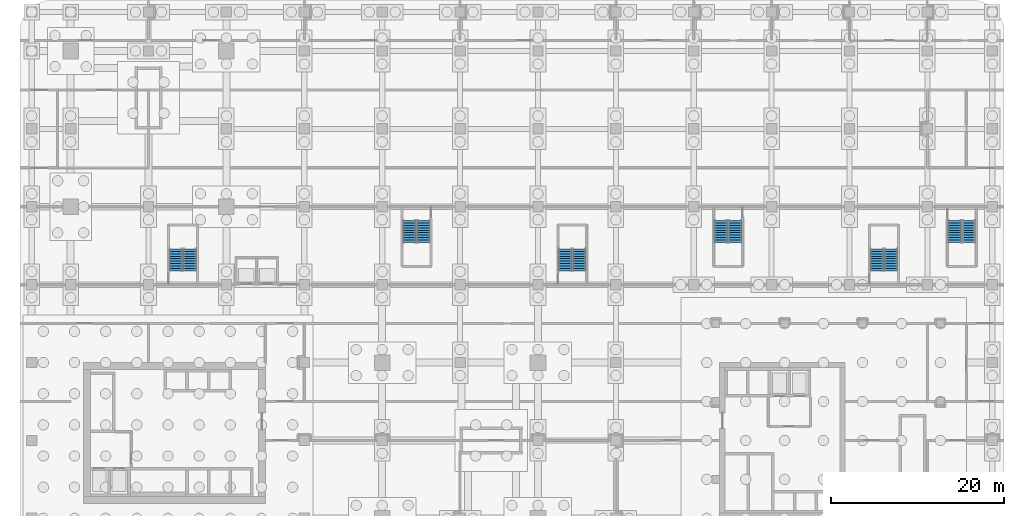
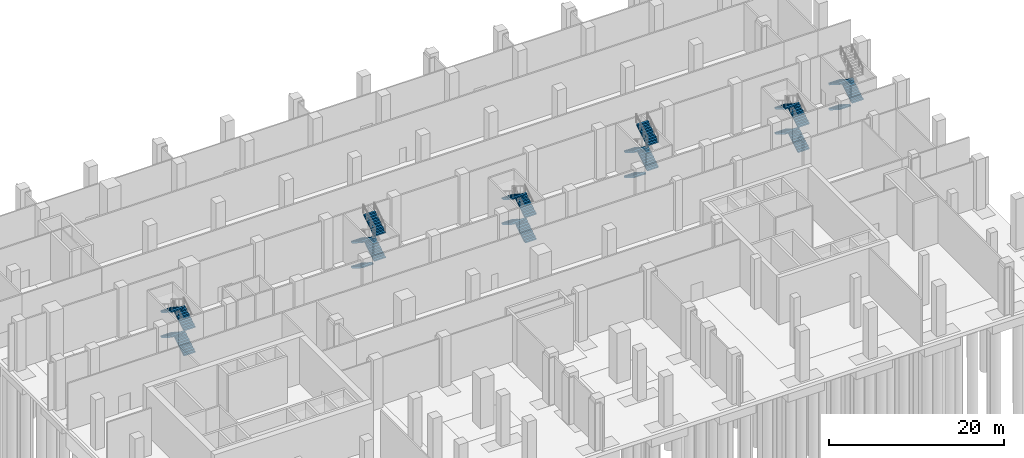
# One storey, part 18 of 23: 23 stair flights, 6 elements without a shape of their own.
"""IFC4 building model written with IfcOpenShell, lengths in metres."""

from ifc_helpers import new_model, si_unit, direction, frame, origin, place, context, subcontext, project, spatial, polyline, outline, extrude, material, type_object, element, aggregate, save


model = new_model("IFC4")

# Units and contexts
model_context = context("Model", 3, precision=1e-05, world=origin(), true_north=direction((0.0, 1.0)))
body_context = subcontext(model_context, "Body", "Model", "MODEL_VIEW")
ifc_project = project(units=[si_unit("LENGTHUNIT", "METRE"), si_unit("AREAUNIT", "SQUARE_METRE"), si_unit("VOLUMEUNIT", "CUBIC_METRE"), si_unit("PLANEANGLEUNIT", "RADIAN"), si_unit("MASSUNIT", "GRAM", prefix="KILO")], contexts=[model_context])

# Site, building, storey
site_placement = place(None, origin())
site = spatial("IfcSite", under=ifc_project, at=site_placement, CompositionType="ELEMENT")
building_placement = place(site_placement, origin())
building = spatial("IfcBuilding", under=site, at=building_placement, Name="Plateau Cross Towers", CompositionType="ELEMENT")
storey_placement = place(building_placement, frame((0.0, 0.0, -7.0)))
storey = spatial("IfcBuildingStorey", under=building, at=storey_placement, Name="B1", CompositionType="ELEMENT", Elevation=-7.0)

# Stair, stair flights
ifc_material = material(Name="Concrete C40/50", Category="concrete")
stair_type = type_object("IfcStairType", Name="Station exit stair 1500", PredefinedType="HALF_TURN_STAIR", material=ifc_material)
stair_1_placement = place(storey_placement, origin())
stair_1 = element("IfcStair", 1, at=stair_1_placement, inside=storey, type_object=stair_type, Name="B1 Exit Stair 1", PredefinedType="HALF_TURN_STAIR")
stair_flight_type = type_object("IfcStairFlightType", Name="Station stair flight 1500", PredefinedType="STRAIGHT", material=ifc_material)
stair_flight_1_placement = place(storey_placement, frame((13.800048828125, 28.60009765625, 0.0), z_axis=(0.0, 0.0, 1.0), x_axis=(0.0, 1.0, 0.0)))
stair_flight_1 = element("IfcStairFlight", 2, at=stair_flight_1_placement, type_object=stair_flight_type, Name="PB1 flight 1", NumberOfRisers=10, NumberOfTreads=9, PredefinedType="STRAIGHT", RiserHeight=0.175, TreadLength=0.28, context=body_context, shape_type="SweptSolid", body=[
    extrude(outline(polyline([(-0.0048828125, -0.010009765625), (-0.0048828125, 0.0), (0.0, 0.0), (0.0, 0.175048828125), (0.280029296875, 0.175048828125), (0.280029296875, 0.35009765625), (0.56005859375, 0.35009765625), (0.56005859375, 0.52490234375), (0.840087890625, 0.52490234375), (0.840087890625, 0.699951171875), (1.1201171875, 0.699951171875), (1.1201171875, 0.875), (1.39990234375, 0.875), (1.39990234375, 1.050048828125), (1.679931640625, 1.050048828125), (1.679931640625, 1.22509765625), (1.9599609375, 1.22509765625), (1.9599609375, 1.39990234375), (2.239990234375, 1.39990234375), (2.239990234375, 1.574951171875), (2.52001953125, 1.574951171875), (2.52490234375, 1.56494140625), (2.52490234375, 1.398193359375), (2.52001953125, 1.398193359375), (0.28271484375, 0.0), (0.02001953125, 0.0), (0.02001953125, -0.010009765625), (-0.0048828125, -0.010009765625)])), frame((0.0, 0.75, 0.0), z_axis=(0.0, -1.0, 0.0), x_axis=(1.0, 0.0, 0.0)), (0.0, 0.0, 1.0), 1.5),
])
stair_flight_2_placement = place(storey_placement, frame((12.14990234375, 31.1201171875, 1.75), z_axis=(0.0, 0.0, 1.0), x_axis=(0.0, -1.0, 0.0)))
stair_flight_2 = element("IfcStairFlight", 3, at=stair_flight_2_placement, type_object=stair_flight_type, Name="PB1 flight 2", NumberOfRisers=10, NumberOfTreads=9, PredefinedType="STRAIGHT", RiserHeight=0.175, TreadLength=0.28, context=body_context, shape_type="SweptSolid", body=[
    extrude(outline(polyline([(-0.0048828125, -0.010009765625), (-0.0048828125, 0.0), (0.0, 0.0), (0.0, 0.175048828125), (0.280029296875, 0.175048828125), (0.280029296875, 0.35009765625), (0.56005859375, 0.35009765625), (0.56005859375, 0.52490234375), (0.840087890625, 0.52490234375), (0.840087890625, 0.699951171875), (1.1201171875, 0.699951171875), (1.1201171875, 0.875), (1.39990234375, 0.875), (1.39990234375, 1.050048828125), (1.679931640625, 1.050048828125), (1.679931640625, 1.22509765625), (1.9599609375, 1.22509765625), (1.9599609375, 1.39990234375), (2.239990234375, 1.39990234375), (2.239990234375, 1.574951171875), (2.52001953125, 1.574951171875), (2.52490234375, 1.56494140625), (2.52490234375, 1.398193359375), (2.52001953125, 1.398193359375), (0.28271484375, 0.0), (0.02001953125, 0.0), (0.02001953125, -0.010009765625), (-0.0048828125, -0.010009765625)])), frame((0.0, 0.75, 0.0), z_axis=(0.0, -1.0, 0.0), x_axis=(1.0, 0.0, 0.0)), (0.0, 0.0, 1.0), 1.5),
])
stair_flight_3_placement = place(storey_placement, frame((13.800048828125, 28.60009765625, 3.5), z_axis=(0.0, 0.0, 1.0), x_axis=(0.0, 1.0, 0.0)))
stair_flight_3 = element("IfcStairFlight", 4, at=stair_flight_3_placement, type_object=stair_flight_type, Name="PB1 flight 3", NumberOfRisers=10, NumberOfTreads=9, PredefinedType="STRAIGHT", RiserHeight=0.175, TreadLength=0.28, context=body_context, shape_type="SweptSolid", body=[
    extrude(outline(polyline([(-0.0048828125, -0.010009765625), (-0.0048828125, 0.0), (0.0, 0.0), (0.0, 0.175048828125), (0.280029296875, 0.175048828125), (0.280029296875, 0.35009765625), (0.56005859375, 0.35009765625), (0.56005859375, 0.52490234375), (0.840087890625, 0.52490234375), (0.840087890625, 0.699951171875), (1.1201171875, 0.699951171875), (1.1201171875, 0.875), (1.39990234375, 0.875), (1.39990234375, 1.050048828125), (1.679931640625, 1.050048828125), (1.679931640625, 1.22509765625), (1.9599609375, 1.22509765625), (1.9599609375, 1.39990234375), (2.239990234375, 1.39990234375), (2.239990234375, 1.574951171875), (2.52001953125, 1.574951171875), (2.52490234375, 1.56494140625), (2.52490234375, 1.398193359375), (2.52001953125, 1.398193359375), (0.28271484375, 0.0), (0.02001953125, 0.0), (0.02001953125, -0.010009765625), (-0.0048828125, -0.010009765625)])), frame((0.0, 0.75, 0.0), z_axis=(0.0, -1.0, 0.0), x_axis=(1.0, 0.0, 0.0)), (0.0, 0.0, 1.0), 1.5),
])
stair_flight_4_placement = place(storey_placement, frame((12.14990234375, 31.1201171875, 5.25), z_axis=(0.0, 0.0, 1.0), x_axis=(0.0, -1.0, 0.0)))
stair_flight_4 = element("IfcStairFlight", 5, at=stair_flight_4_placement, type_object=stair_flight_type, Name="PB1 flight 4", NumberOfRisers=10, NumberOfTreads=9, PredefinedType="STRAIGHT", RiserHeight=0.175, TreadLength=0.28, context=body_context, shape_type="SweptSolid", body=[
    extrude(outline(polyline([(-0.0048828125, -0.010009765625), (-0.0048828125, 0.0), (0.0, 0.0), (0.0, 0.175048828125), (0.280029296875, 0.175048828125), (0.280029296875, 0.35009765625), (0.56005859375, 0.35009765625), (0.56005859375, 0.52490234375), (0.840087890625, 0.52490234375), (0.840087890625, 0.699951171875), (1.1201171875, 0.699951171875), (1.1201171875, 0.875), (1.39990234375, 0.875), (1.39990234375, 1.050048828125), (1.679931640625, 1.050048828125), (1.679931640625, 1.22509765625), (1.9599609375, 1.22509765625), (1.9599609375, 1.39990234375), (2.239990234375, 1.39990234375), (2.239990234375, 1.574951171875), (2.52001953125, 1.574951171875), (2.52490234375, 1.56494140625), (2.52490234375, 1.398193359375), (2.52001953125, 1.398193359375), (0.28271484375, 0.0), (0.02001953125, 0.0), (0.02001953125, -0.010009765625), (-0.0048828125, -0.010009765625)])), frame((0.0, 0.75, 0.0), z_axis=(0.0, -1.0, 0.0), x_axis=(1.0, 0.0, 0.0)), (0.0, 0.0, 1.0), 1.5),
])
aggregate(stair_1, [stair_flight_1, stair_flight_2, stair_flight_3, stair_flight_4])

stair_2_placement = place(storey_placement, origin())
stair_2 = element("IfcStair", 6, at=stair_2_placement, inside=storey, type_object=stair_type, Name="B1 Exit Stair 2", PredefinedType="HALF_TURN_STAIR")
stair_flight_5_placement = place(storey_placement, frame((39.14990234375, 34.39990234375, 0.0), z_axis=(0.0, 0.0, 1.0), x_axis=(0.0, -1.0, 0.0)))
stair_flight_5 = element("IfcStairFlight", 7, at=stair_flight_5_placement, type_object=stair_flight_type, Name="PB2 flight 1", NumberOfRisers=10, NumberOfTreads=9, PredefinedType="STRAIGHT", RiserHeight=0.175, TreadLength=0.28, context=body_context, shape_type="SweptSolid", body=[
    extrude(outline(polyline([(-0.0048828125, -0.010009765625), (-0.0048828125, 0.0), (0.0, 0.0), (0.0, 0.175048828125), (0.280029296875, 0.175048828125), (0.280029296875, 0.35009765625), (0.56005859375, 0.35009765625), (0.56005859375, 0.52490234375), (0.840087890625, 0.52490234375), (0.840087890625, 0.699951171875), (1.1201171875, 0.699951171875), (1.1201171875, 0.875), (1.39990234375, 0.875), (1.39990234375, 1.050048828125), (1.679931640625, 1.050048828125), (1.679931640625, 1.22509765625), (1.9599609375, 1.22509765625), (1.9599609375, 1.39990234375), (2.239990234375, 1.39990234375), (2.239990234375, 1.574951171875), (2.52001953125, 1.574951171875), (2.52490234375, 1.56494140625), (2.52490234375, 1.398193359375), (2.52001953125, 1.398193359375), (0.28271484375, 0.0), (0.02001953125, 0.0), (0.02001953125, -0.010009765625), (-0.0048828125, -0.010009765625)])), frame((0.0, 0.75, 0.0), z_axis=(0.0, -1.0, 0.0), x_axis=(1.0, 0.0, 0.0)), (0.0, 0.0, 1.0), 1.5),
])
stair_flight_6_placement = place(storey_placement, frame((40.800048828125, 31.8798828125, 1.75), z_axis=(0.0, 0.0, 1.0), x_axis=(0.0, 1.0, 0.0)))
stair_flight_6 = element("IfcStairFlight", 8, at=stair_flight_6_placement, type_object=stair_flight_type, Name="PB2 flight 2", NumberOfRisers=10, NumberOfTreads=9, PredefinedType="STRAIGHT", RiserHeight=0.175, TreadLength=0.28, context=body_context, shape_type="SweptSolid", body=[
    extrude(outline(polyline([(-0.0048828125, -0.010009765625), (-0.0048828125, 0.0), (0.0, 0.0), (0.0, 0.175048828125), (0.280029296875, 0.175048828125), (0.280029296875, 0.35009765625), (0.56005859375, 0.35009765625), (0.56005859375, 0.52490234375), (0.840087890625, 0.52490234375), (0.840087890625, 0.699951171875), (1.1201171875, 0.699951171875), (1.1201171875, 0.875), (1.39990234375, 0.875), (1.39990234375, 1.050048828125), (1.679931640625, 1.050048828125), (1.679931640625, 1.22509765625), (1.9599609375, 1.22509765625), (1.9599609375, 1.39990234375), (2.239990234375, 1.39990234375), (2.239990234375, 1.574951171875), (2.52001953125, 1.574951171875), (2.52490234375, 1.56494140625), (2.52490234375, 1.398193359375), (2.52001953125, 1.398193359375), (0.28271484375, 0.0), (0.02001953125, 0.0), (0.02001953125, -0.010009765625), (-0.0048828125, -0.010009765625)])), frame((0.0, 0.75, 0.0), z_axis=(0.0, -1.0, 0.0), x_axis=(1.0, 0.0, 0.0)), (0.0, 0.0, 1.0), 1.5),
])
stair_flight_7_placement = place(storey_placement, frame((39.14990234375, 34.39990234375, 3.5), z_axis=(0.0, 0.0, 1.0), x_axis=(0.0, -1.0, 0.0)))
stair_flight_7 = element("IfcStairFlight", 9, at=stair_flight_7_placement, type_object=stair_flight_type, Name="PB2 flight 3", NumberOfRisers=10, NumberOfTreads=9, PredefinedType="STRAIGHT", RiserHeight=0.175, TreadLength=0.28, context=body_context, shape_type="SweptSolid", body=[
    extrude(outline(polyline([(-0.0048828125, -0.010009765625), (-0.0048828125, 0.0), (0.0, 0.0), (0.0, 0.175048828125), (0.280029296875, 0.175048828125), (0.280029296875, 0.35009765625), (0.56005859375, 0.35009765625), (0.56005859375, 0.52490234375), (0.840087890625, 0.52490234375), (0.840087890625, 0.699951171875), (1.1201171875, 0.699951171875), (1.1201171875, 0.875), (1.39990234375, 0.875), (1.39990234375, 1.050048828125), (1.679931640625, 1.050048828125), (1.679931640625, 1.22509765625), (1.9599609375, 1.22509765625), (1.9599609375, 1.39990234375), (2.239990234375, 1.39990234375), (2.239990234375, 1.574951171875), (2.52001953125, 1.574951171875), (2.52490234375, 1.56494140625), (2.52490234375, 1.398193359375), (2.52001953125, 1.398193359375), (0.28271484375, 0.0), (0.02001953125, 0.0), (0.02001953125, -0.010009765625), (-0.0048828125, -0.010009765625)])), frame((0.0, 0.75, 0.0), z_axis=(0.0, -1.0, 0.0), x_axis=(1.0, 0.0, 0.0)), (0.0, 0.0, 1.0), 1.5),
])
stair_flight_8_placement = place(storey_placement, frame((40.800048828125, 31.8798828125, 5.25), z_axis=(0.0, 0.0, 1.0), x_axis=(0.0, 1.0, 0.0)))
stair_flight_8 = element("IfcStairFlight", 10, at=stair_flight_8_placement, type_object=stair_flight_type, Name="PB2 flight 4", NumberOfRisers=10, NumberOfTreads=9, PredefinedType="STRAIGHT", RiserHeight=0.175, TreadLength=0.28, context=body_context, shape_type="SweptSolid", body=[
    extrude(outline(polyline([(-0.0048828125, -0.010009765625), (-0.0048828125, 0.0), (0.0, 0.0), (0.0, 0.175048828125), (0.280029296875, 0.175048828125), (0.280029296875, 0.35009765625), (0.56005859375, 0.35009765625), (0.56005859375, 0.52490234375), (0.840087890625, 0.52490234375), (0.840087890625, 0.699951171875), (1.1201171875, 0.699951171875), (1.1201171875, 0.875), (1.39990234375, 0.875), (1.39990234375, 1.050048828125), (1.679931640625, 1.050048828125), (1.679931640625, 1.22509765625), (1.9599609375, 1.22509765625), (1.9599609375, 1.39990234375), (2.239990234375, 1.39990234375), (2.239990234375, 1.574951171875), (2.52001953125, 1.574951171875), (2.52490234375, 1.56494140625), (2.52490234375, 1.398193359375), (2.52001953125, 1.398193359375), (0.28271484375, 0.0), (0.02001953125, 0.0), (0.02001953125, -0.010009765625), (-0.0048828125, -0.010009765625)])), frame((0.0, 0.75, 0.0), z_axis=(0.0, -1.0, 0.0), x_axis=(1.0, 0.0, 0.0)), (0.0, 0.0, 1.0), 1.5),
])
aggregate(stair_2, [stair_flight_5, stair_flight_6, stair_flight_7, stair_flight_8])

stair_3_placement = place(storey_placement, origin())
stair_3 = element("IfcStair", 11, at=stair_3_placement, inside=storey, type_object=stair_type, Name="B1 Exit Stair 3", PredefinedType="HALF_TURN_STAIR")
stair_flight_9_placement = place(storey_placement, frame((58.800048828125, 28.60009765625, 0.0), z_axis=(0.0, 0.0, 1.0), x_axis=(0.0, 1.0, 0.0)))
stair_flight_9 = element("IfcStairFlight", 12, at=stair_flight_9_placement, type_object=stair_flight_type, Name="PB3 flight 1", NumberOfRisers=10, NumberOfTreads=9, PredefinedType="STRAIGHT", RiserHeight=0.175, TreadLength=0.28, context=body_context, shape_type="SweptSolid", body=[
    extrude(outline(polyline([(-0.0048828125, -0.010009765625), (-0.0048828125, 0.0), (0.0, 0.0), (0.0, 0.175048828125), (0.280029296875, 0.175048828125), (0.280029296875, 0.35009765625), (0.56005859375, 0.35009765625), (0.56005859375, 0.52490234375), (0.840087890625, 0.52490234375), (0.840087890625, 0.699951171875), (1.1201171875, 0.699951171875), (1.1201171875, 0.875), (1.39990234375, 0.875), (1.39990234375, 1.050048828125), (1.679931640625, 1.050048828125), (1.679931640625, 1.22509765625), (1.9599609375, 1.22509765625), (1.9599609375, 1.39990234375), (2.239990234375, 1.39990234375), (2.239990234375, 1.574951171875), (2.52001953125, 1.574951171875), (2.52490234375, 1.56494140625), (2.52490234375, 1.398193359375), (2.52001953125, 1.398193359375), (0.28271484375, 0.0), (0.02001953125, 0.0), (0.02001953125, -0.010009765625), (-0.0048828125, -0.010009765625)])), frame((0.0, 0.75, 0.0), z_axis=(0.0, -1.0, 0.0), x_axis=(1.0, 0.0, 0.0)), (0.0, 0.0, 1.0), 1.5),
])
stair_flight_10_placement = place(storey_placement, frame((57.14990234375, 31.1201171875, 1.75), z_axis=(0.0, 0.0, 1.0), x_axis=(0.0, -1.0, 0.0)))
stair_flight_10 = element("IfcStairFlight", 13, at=stair_flight_10_placement, type_object=stair_flight_type, Name="PB3 flight 2", NumberOfRisers=10, NumberOfTreads=9, PredefinedType="STRAIGHT", RiserHeight=0.175, TreadLength=0.28, context=body_context, shape_type="SweptSolid", body=[
    extrude(outline(polyline([(-0.0048828125, -0.010009765625), (-0.0048828125, 0.0), (0.0, 0.0), (0.0, 0.175048828125), (0.280029296875, 0.175048828125), (0.280029296875, 0.35009765625), (0.56005859375, 0.35009765625), (0.56005859375, 0.52490234375), (0.840087890625, 0.52490234375), (0.840087890625, 0.699951171875), (1.1201171875, 0.699951171875), (1.1201171875, 0.875), (1.39990234375, 0.875), (1.39990234375, 1.050048828125), (1.679931640625, 1.050048828125), (1.679931640625, 1.22509765625), (1.9599609375, 1.22509765625), (1.9599609375, 1.39990234375), (2.239990234375, 1.39990234375), (2.239990234375, 1.574951171875), (2.52001953125, 1.574951171875), (2.52490234375, 1.56494140625), (2.52490234375, 1.398193359375), (2.52001953125, 1.398193359375), (0.28271484375, 0.0), (0.02001953125, 0.0), (0.02001953125, -0.010009765625), (-0.0048828125, -0.010009765625)])), frame((0.0, 0.75, 0.0), z_axis=(0.0, -1.0, 0.0), x_axis=(1.0, 0.0, 0.0)), (0.0, 0.0, 1.0), 1.5),
])
stair_flight_11_placement = place(storey_placement, frame((58.800048828125, 28.60009765625, 3.5), z_axis=(0.0, 0.0, 1.0), x_axis=(0.0, 1.0, 0.0)))
stair_flight_11 = element("IfcStairFlight", 14, at=stair_flight_11_placement, type_object=stair_flight_type, Name="PB3 flight 3", NumberOfRisers=10, NumberOfTreads=9, PredefinedType="STRAIGHT", RiserHeight=0.175, TreadLength=0.28, context=body_context, shape_type="SweptSolid", body=[
    extrude(outline(polyline([(-0.0048828125, -0.010009765625), (-0.0048828125, 0.0), (0.0, 0.0), (0.0, 0.175048828125), (0.280029296875, 0.175048828125), (0.280029296875, 0.35009765625), (0.56005859375, 0.35009765625), (0.56005859375, 0.52490234375), (0.840087890625, 0.52490234375), (0.840087890625, 0.699951171875), (1.1201171875, 0.699951171875), (1.1201171875, 0.875), (1.39990234375, 0.875), (1.39990234375, 1.050048828125), (1.679931640625, 1.050048828125), (1.679931640625, 1.22509765625), (1.9599609375, 1.22509765625), (1.9599609375, 1.39990234375), (2.239990234375, 1.39990234375), (2.239990234375, 1.574951171875), (2.52001953125, 1.574951171875), (2.52490234375, 1.56494140625), (2.52490234375, 1.398193359375), (2.52001953125, 1.398193359375), (0.28271484375, 0.0), (0.02001953125, 0.0), (0.02001953125, -0.010009765625), (-0.0048828125, -0.010009765625)])), frame((0.0, 0.75, 0.0), z_axis=(0.0, -1.0, 0.0), x_axis=(1.0, 0.0, 0.0)), (0.0, 0.0, 1.0), 1.5),
])
stair_flight_12_placement = place(storey_placement, frame((57.14990234375, 31.1201171875, 5.25), z_axis=(0.0, 0.0, 1.0), x_axis=(0.0, -1.0, 0.0)))
stair_flight_12 = element("IfcStairFlight", 15, at=stair_flight_12_placement, type_object=stair_flight_type, Name="PB3 flight 4", NumberOfRisers=10, NumberOfTreads=9, PredefinedType="STRAIGHT", RiserHeight=0.175, TreadLength=0.28, context=body_context, shape_type="SweptSolid", body=[
    extrude(outline(polyline([(-0.0048828125, -0.010009765625), (-0.0048828125, 0.0), (0.0, 0.0), (0.0, 0.175048828125), (0.280029296875, 0.175048828125), (0.280029296875, 0.35009765625), (0.56005859375, 0.35009765625), (0.56005859375, 0.52490234375), (0.840087890625, 0.52490234375), (0.840087890625, 0.699951171875), (1.1201171875, 0.699951171875), (1.1201171875, 0.875), (1.39990234375, 0.875), (1.39990234375, 1.050048828125), (1.679931640625, 1.050048828125), (1.679931640625, 1.22509765625), (1.9599609375, 1.22509765625), (1.9599609375, 1.39990234375), (2.239990234375, 1.39990234375), (2.239990234375, 1.574951171875), (2.52001953125, 1.574951171875), (2.52490234375, 1.56494140625), (2.52490234375, 1.398193359375), (2.52001953125, 1.398193359375), (0.28271484375, 0.0), (0.02001953125, 0.0), (0.02001953125, -0.010009765625), (-0.0048828125, -0.010009765625)])), frame((0.0, 0.75, 0.0), z_axis=(0.0, -1.0, 0.0), x_axis=(1.0, 0.0, 0.0)), (0.0, 0.0, 1.0), 1.5),
])
aggregate(stair_3, [stair_flight_9, stair_flight_10, stair_flight_11, stair_flight_12])

stair_4_placement = place(storey_placement, origin())
stair_4 = element("IfcStair", 16, at=stair_4_placement, inside=storey, type_object=stair_type, Name="B1 Exit Stair 4", PredefinedType="HALF_TURN_STAIR")
stair_flight_13_placement = place(storey_placement, frame((75.14990234375, 34.39990234375, 0.0), z_axis=(0.0, 0.0, 1.0), x_axis=(0.0, -1.0, 0.0)))
stair_flight_13 = element("IfcStairFlight", 17, at=stair_flight_13_placement, type_object=stair_flight_type, Name="PB4 flight 1", NumberOfRisers=10, NumberOfTreads=9, PredefinedType="STRAIGHT", RiserHeight=0.175, TreadLength=0.28, context=body_context, shape_type="SweptSolid", body=[
    extrude(outline(polyline([(-0.0048828125, -0.010009765625), (-0.0048828125, 0.0), (0.0, 0.0), (0.0, 0.175048828125), (0.280029296875, 0.175048828125), (0.280029296875, 0.35009765625), (0.56005859375, 0.35009765625), (0.56005859375, 0.52490234375), (0.840087890625, 0.52490234375), (0.840087890625, 0.699951171875), (1.1201171875, 0.699951171875), (1.1201171875, 0.875), (1.39990234375, 0.875), (1.39990234375, 1.050048828125), (1.679931640625, 1.050048828125), (1.679931640625, 1.22509765625), (1.9599609375, 1.22509765625), (1.9599609375, 1.39990234375), (2.239990234375, 1.39990234375), (2.239990234375, 1.574951171875), (2.52001953125, 1.574951171875), (2.52490234375, 1.56494140625), (2.52490234375, 1.398193359375), (2.52001953125, 1.398193359375), (0.28271484375, 0.0), (0.02001953125, 0.0), (0.02001953125, -0.010009765625), (-0.0048828125, -0.010009765625)])), frame((0.0, 0.75, 0.0), z_axis=(0.0, -1.0, 0.0), x_axis=(1.0, 0.0, 0.0)), (0.0, 0.0, 1.0), 1.5),
])
stair_flight_14_placement = place(storey_placement, frame((76.800048828125, 31.8798828125, 1.75), z_axis=(0.0, 0.0, 1.0), x_axis=(0.0, 1.0, 0.0)))
stair_flight_14 = element("IfcStairFlight", 18, at=stair_flight_14_placement, type_object=stair_flight_type, Name="PB4 flight 2", NumberOfRisers=10, NumberOfTreads=9, PredefinedType="STRAIGHT", RiserHeight=0.175, TreadLength=0.28, context=body_context, shape_type="SweptSolid", body=[
    extrude(outline(polyline([(-0.0048828125, -0.010009765625), (-0.0048828125, 0.0), (0.0, 0.0), (0.0, 0.175048828125), (0.280029296875, 0.175048828125), (0.280029296875, 0.35009765625), (0.56005859375, 0.35009765625), (0.56005859375, 0.52490234375), (0.840087890625, 0.52490234375), (0.840087890625, 0.699951171875), (1.1201171875, 0.699951171875), (1.1201171875, 0.875), (1.39990234375, 0.875), (1.39990234375, 1.050048828125), (1.679931640625, 1.050048828125), (1.679931640625, 1.22509765625), (1.9599609375, 1.22509765625), (1.9599609375, 1.39990234375), (2.239990234375, 1.39990234375), (2.239990234375, 1.574951171875), (2.52001953125, 1.574951171875), (2.52490234375, 1.56494140625), (2.52490234375, 1.398193359375), (2.52001953125, 1.398193359375), (0.28271484375, 0.0), (0.02001953125, 0.0), (0.02001953125, -0.010009765625), (-0.0048828125, -0.010009765625)])), frame((0.0, 0.75, 0.0), z_axis=(0.0, -1.0, 0.0), x_axis=(1.0, 0.0, 0.0)), (0.0, 0.0, 1.0), 1.5),
])
stair_flight_15_placement = place(storey_placement, frame((75.14990234375, 34.39990234375, 3.5), z_axis=(0.0, 0.0, 1.0), x_axis=(0.0, -1.0, 0.0)))
stair_flight_15 = element("IfcStairFlight", 19, at=stair_flight_15_placement, type_object=stair_flight_type, Name="PB4 flight 3", NumberOfRisers=10, NumberOfTreads=9, PredefinedType="STRAIGHT", RiserHeight=0.175, TreadLength=0.28, context=body_context, shape_type="SweptSolid", body=[
    extrude(outline(polyline([(-0.0048828125, -0.010009765625), (-0.0048828125, 0.0), (0.0, 0.0), (0.0, 0.175048828125), (0.280029296875, 0.175048828125), (0.280029296875, 0.35009765625), (0.56005859375, 0.35009765625), (0.56005859375, 0.52490234375), (0.840087890625, 0.52490234375), (0.840087890625, 0.699951171875), (1.1201171875, 0.699951171875), (1.1201171875, 0.875), (1.39990234375, 0.875), (1.39990234375, 1.050048828125), (1.679931640625, 1.050048828125), (1.679931640625, 1.22509765625), (1.9599609375, 1.22509765625), (1.9599609375, 1.39990234375), (2.239990234375, 1.39990234375), (2.239990234375, 1.574951171875), (2.52001953125, 1.574951171875), (2.52490234375, 1.56494140625), (2.52490234375, 1.398193359375), (2.52001953125, 1.398193359375), (0.28271484375, 0.0), (0.02001953125, 0.0), (0.02001953125, -0.010009765625), (-0.0048828125, -0.010009765625)])), frame((0.0, 0.75, 0.0), z_axis=(0.0, -1.0, 0.0), x_axis=(1.0, 0.0, 0.0)), (0.0, 0.0, 1.0), 1.5),
])
stair_flight_16_placement = place(storey_placement, frame((76.800048828125, 31.8798828125, 5.25), z_axis=(0.0, 0.0, 1.0), x_axis=(0.0, 1.0, 0.0)))
stair_flight_16 = element("IfcStairFlight", 20, at=stair_flight_16_placement, type_object=stair_flight_type, Name="PB4 flight 4", NumberOfRisers=10, NumberOfTreads=9, PredefinedType="STRAIGHT", RiserHeight=0.175, TreadLength=0.28, context=body_context, shape_type="SweptSolid", body=[
    extrude(outline(polyline([(-0.0048828125, -0.010009765625), (-0.0048828125, 0.0), (0.0, 0.0), (0.0, 0.175048828125), (0.280029296875, 0.175048828125), (0.280029296875, 0.35009765625), (0.56005859375, 0.35009765625), (0.56005859375, 0.52490234375), (0.840087890625, 0.52490234375), (0.840087890625, 0.699951171875), (1.1201171875, 0.699951171875), (1.1201171875, 0.875), (1.39990234375, 0.875), (1.39990234375, 1.050048828125), (1.679931640625, 1.050048828125), (1.679931640625, 1.22509765625), (1.9599609375, 1.22509765625), (1.9599609375, 1.39990234375), (2.239990234375, 1.39990234375), (2.239990234375, 1.574951171875), (2.52001953125, 1.574951171875), (2.52490234375, 1.56494140625), (2.52490234375, 1.398193359375), (2.52001953125, 1.398193359375), (0.28271484375, 0.0), (0.02001953125, 0.0), (0.02001953125, -0.010009765625), (-0.0048828125, -0.010009765625)])), frame((0.0, 0.75, 0.0), z_axis=(0.0, -1.0, 0.0), x_axis=(1.0, 0.0, 0.0)), (0.0, 0.0, 1.0), 1.5),
])
aggregate(stair_4, [stair_flight_13, stair_flight_14, stair_flight_15, stair_flight_16])

stair_5_placement = place(storey_placement, origin())
stair_5 = element("IfcStair", 21, at=stair_5_placement, inside=storey, type_object=stair_type, Name="B1 Exit Stair 5", PredefinedType="HALF_TURN_STAIR")
stair_flight_17_placement = place(storey_placement, frame((94.800048828125, 28.60009765625, 0.0), z_axis=(0.0, 0.0, 1.0), x_axis=(0.0, 1.0, 0.0)))
stair_flight_17 = element("IfcStairFlight", 22, at=stair_flight_17_placement, type_object=stair_flight_type, Name="PB5 flight 1", NumberOfRisers=10, NumberOfTreads=9, PredefinedType="STRAIGHT", RiserHeight=0.175, TreadLength=0.28, context=body_context, shape_type="SweptSolid", body=[
    extrude(outline(polyline([(-0.0048828125, -0.010009765625), (-0.0048828125, 0.0), (0.0, 0.0), (0.0, 0.175048828125), (0.280029296875, 0.175048828125), (0.280029296875, 0.35009765625), (0.56005859375, 0.35009765625), (0.56005859375, 0.52490234375), (0.840087890625, 0.52490234375), (0.840087890625, 0.699951171875), (1.1201171875, 0.699951171875), (1.1201171875, 0.875), (1.39990234375, 0.875), (1.39990234375, 1.050048828125), (1.679931640625, 1.050048828125), (1.679931640625, 1.22509765625), (1.9599609375, 1.22509765625), (1.9599609375, 1.39990234375), (2.239990234375, 1.39990234375), (2.239990234375, 1.574951171875), (2.52001953125, 1.574951171875), (2.52490234375, 1.56494140625), (2.52490234375, 1.398193359375), (2.52001953125, 1.398193359375), (0.28271484375, 0.0), (0.02001953125, 0.0), (0.02001953125, -0.010009765625), (-0.0048828125, -0.010009765625)])), frame((0.0, 0.75, 0.0), z_axis=(0.0, -1.0, 0.0), x_axis=(1.0, 0.0, 0.0)), (0.0, 0.0, 1.0), 1.5),
])
stair_flight_18_placement = place(storey_placement, frame((93.14990234375, 31.1201171875, 1.75), z_axis=(0.0, 0.0, 1.0), x_axis=(0.0, -1.0, 0.0)))
stair_flight_18 = element("IfcStairFlight", 23, at=stair_flight_18_placement, type_object=stair_flight_type, Name="PB5 flight 2", NumberOfRisers=10, NumberOfTreads=9, PredefinedType="STRAIGHT", RiserHeight=0.175, TreadLength=0.28, context=body_context, shape_type="SweptSolid", body=[
    extrude(outline(polyline([(-0.0048828125, -0.010009765625), (-0.0048828125, 0.0), (0.0, 0.0), (0.0, 0.175048828125), (0.280029296875, 0.175048828125), (0.280029296875, 0.35009765625), (0.56005859375, 0.35009765625), (0.56005859375, 0.52490234375), (0.840087890625, 0.52490234375), (0.840087890625, 0.699951171875), (1.1201171875, 0.699951171875), (1.1201171875, 0.875), (1.39990234375, 0.875), (1.39990234375, 1.050048828125), (1.679931640625, 1.050048828125), (1.679931640625, 1.22509765625), (1.9599609375, 1.22509765625), (1.9599609375, 1.39990234375), (2.239990234375, 1.39990234375), (2.239990234375, 1.574951171875), (2.52001953125, 1.574951171875), (2.52490234375, 1.56494140625), (2.52490234375, 1.398193359375), (2.52001953125, 1.398193359375), (0.28271484375, 0.0), (0.02001953125, 0.0), (0.02001953125, -0.010009765625), (-0.0048828125, -0.010009765625)])), frame((0.0, 0.75, 0.0), z_axis=(0.0, -1.0, 0.0), x_axis=(1.0, 0.0, 0.0)), (0.0, 0.0, 1.0), 1.5),
])
stair_flight_19_placement = place(storey_placement, frame((94.800048828125, 28.60009765625, 3.5), z_axis=(0.0, 0.0, 1.0), x_axis=(0.0, 1.0, 0.0)))
stair_flight_19 = element("IfcStairFlight", 24, at=stair_flight_19_placement, type_object=stair_flight_type, Name="PB5 flight 3", NumberOfRisers=10, NumberOfTreads=9, PredefinedType="STRAIGHT", RiserHeight=0.175, TreadLength=0.28, context=body_context, shape_type="SweptSolid", body=[
    extrude(outline(polyline([(-0.0048828125, -0.010009765625), (-0.0048828125, 0.0), (0.0, 0.0), (0.0, 0.175048828125), (0.280029296875, 0.175048828125), (0.280029296875, 0.35009765625), (0.56005859375, 0.35009765625), (0.56005859375, 0.52490234375), (0.840087890625, 0.52490234375), (0.840087890625, 0.699951171875), (1.1201171875, 0.699951171875), (1.1201171875, 0.875), (1.39990234375, 0.875), (1.39990234375, 1.050048828125), (1.679931640625, 1.050048828125), (1.679931640625, 1.22509765625), (1.9599609375, 1.22509765625), (1.9599609375, 1.39990234375), (2.239990234375, 1.39990234375), (2.239990234375, 1.574951171875), (2.52001953125, 1.574951171875), (2.52490234375, 1.56494140625), (2.52490234375, 1.398193359375), (2.52001953125, 1.398193359375), (0.28271484375, 0.0), (0.02001953125, 0.0), (0.02001953125, -0.010009765625), (-0.0048828125, -0.010009765625)])), frame((0.0, 0.75, 0.0), z_axis=(0.0, -1.0, 0.0), x_axis=(1.0, 0.0, 0.0)), (0.0, 0.0, 1.0), 1.5),
])
stair_flight_20_placement = place(storey_placement, frame((93.14990234375, 31.1201171875, 5.25), z_axis=(0.0, 0.0, 1.0), x_axis=(0.0, -1.0, 0.0)))
stair_flight_20 = element("IfcStairFlight", 25, at=stair_flight_20_placement, type_object=stair_flight_type, Name="PB5 flight 4", NumberOfRisers=10, NumberOfTreads=9, PredefinedType="STRAIGHT", RiserHeight=0.175, TreadLength=0.28, context=body_context, shape_type="SweptSolid", body=[
    extrude(outline(polyline([(-0.0048828125, -0.010009765625), (-0.0048828125, 0.0), (0.0, 0.0), (0.0, 0.175048828125), (0.280029296875, 0.175048828125), (0.280029296875, 0.35009765625), (0.56005859375, 0.35009765625), (0.56005859375, 0.52490234375), (0.840087890625, 0.52490234375), (0.840087890625, 0.699951171875), (1.1201171875, 0.699951171875), (1.1201171875, 0.875), (1.39990234375, 0.875), (1.39990234375, 1.050048828125), (1.679931640625, 1.050048828125), (1.679931640625, 1.22509765625), (1.9599609375, 1.22509765625), (1.9599609375, 1.39990234375), (2.239990234375, 1.39990234375), (2.239990234375, 1.574951171875), (2.52001953125, 1.574951171875), (2.52490234375, 1.56494140625), (2.52490234375, 1.398193359375), (2.52001953125, 1.398193359375), (0.28271484375, 0.0), (0.02001953125, 0.0), (0.02001953125, -0.010009765625), (-0.0048828125, -0.010009765625)])), frame((0.0, 0.75, 0.0), z_axis=(0.0, -1.0, 0.0), x_axis=(1.0, 0.0, 0.0)), (0.0, 0.0, 1.0), 1.5),
])
aggregate(stair_5, [stair_flight_17, stair_flight_18, stair_flight_19, stair_flight_20])

stair_6_placement = place(storey_placement, origin())
stair_6 = element("IfcStair", 26, at=stair_6_placement, inside=storey, type_object=stair_type, Name="B1 Exit Stair 6", PredefinedType="HALF_TURN_STAIR")
stair_flight_21_placement = place(storey_placement, frame((102.14990234375, 34.39990234375, 0.0), z_axis=(0.0, 0.0, 1.0), x_axis=(0.0, -1.0, 0.0)))
stair_flight_21 = element("IfcStairFlight", 27, at=stair_flight_21_placement, type_object=stair_flight_type, Name="PB6 flight 1", NumberOfRisers=10, NumberOfTreads=9, PredefinedType="STRAIGHT", RiserHeight=0.175, TreadLength=0.28, context=body_context, shape_type="SweptSolid", body=[
    extrude(outline(polyline([(-0.0048828125, -0.010009765625), (-0.0048828125, 0.0), (0.0, 0.0), (0.0, 0.175048828125), (0.280029296875, 0.175048828125), (0.280029296875, 0.35009765625), (0.56005859375, 0.35009765625), (0.56005859375, 0.52490234375), (0.840087890625, 0.52490234375), (0.840087890625, 0.699951171875), (1.1201171875, 0.699951171875), (1.1201171875, 0.875), (1.39990234375, 0.875), (1.39990234375, 1.050048828125), (1.679931640625, 1.050048828125), (1.679931640625, 1.22509765625), (1.9599609375, 1.22509765625), (1.9599609375, 1.39990234375), (2.239990234375, 1.39990234375), (2.239990234375, 1.574951171875), (2.52001953125, 1.574951171875), (2.52490234375, 1.56494140625), (2.52490234375, 1.398193359375), (2.52001953125, 1.398193359375), (0.28271484375, 0.0), (0.02001953125, 0.0), (0.02001953125, -0.010009765625), (-0.0048828125, -0.010009765625)])), frame((0.0, 0.75, 0.0), z_axis=(0.0, -1.0, 0.0), x_axis=(1.0, 0.0, 0.0)), (0.0, 0.0, 1.0), 1.5),
])
stair_flight_22_placement = place(storey_placement, frame((103.800048828125, 31.8798828125, 1.75), z_axis=(0.0, 0.0, 1.0), x_axis=(0.0, 1.0, 0.0)))
stair_flight_22 = element("IfcStairFlight", 28, at=stair_flight_22_placement, type_object=stair_flight_type, Name="PB6 flight 2", NumberOfRisers=10, NumberOfTreads=9, PredefinedType="STRAIGHT", RiserHeight=0.175, TreadLength=0.28, context=body_context, shape_type="SweptSolid", body=[
    extrude(outline(polyline([(-0.0048828125, -0.010009765625), (-0.0048828125, 0.0), (0.0, 0.0), (0.0, 0.175048828125), (0.280029296875, 0.175048828125), (0.280029296875, 0.35009765625), (0.56005859375, 0.35009765625), (0.56005859375, 0.52490234375), (0.840087890625, 0.52490234375), (0.840087890625, 0.699951171875), (1.1201171875, 0.699951171875), (1.1201171875, 0.875), (1.39990234375, 0.875), (1.39990234375, 1.050048828125), (1.679931640625, 1.050048828125), (1.679931640625, 1.22509765625), (1.9599609375, 1.22509765625), (1.9599609375, 1.39990234375), (2.239990234375, 1.39990234375), (2.239990234375, 1.574951171875), (2.52001953125, 1.574951171875), (2.52490234375, 1.56494140625), (2.52490234375, 1.398193359375), (2.52001953125, 1.398193359375), (0.28271484375, 0.0), (0.02001953125, 0.0), (0.02001953125, -0.010009765625), (-0.0048828125, -0.010009765625)])), frame((0.0, 0.75, 0.0), z_axis=(0.0, -1.0, 0.0), x_axis=(1.0, 0.0, 0.0)), (0.0, 0.0, 1.0), 1.5),
])
stair_flight_23_placement = place(storey_placement, frame((102.14990234375, 34.39990234375, 3.5), z_axis=(0.0, 0.0, 1.0), x_axis=(0.0, -1.0, 0.0)))
stair_flight_23 = element("IfcStairFlight", 29, at=stair_flight_23_placement, type_object=stair_flight_type, Name="PB6 flight 3", NumberOfRisers=10, NumberOfTreads=9, PredefinedType="STRAIGHT", RiserHeight=0.175, TreadLength=0.28, context=body_context, shape_type="SweptSolid", body=[
    extrude(outline(polyline([(-0.0048828125, -0.010009765625), (-0.0048828125, 0.0), (0.0, 0.0), (0.0, 0.175048828125), (0.280029296875, 0.175048828125), (0.280029296875, 0.35009765625), (0.56005859375, 0.35009765625), (0.56005859375, 0.52490234375), (0.840087890625, 0.52490234375), (0.840087890625, 0.699951171875), (1.1201171875, 0.699951171875), (1.1201171875, 0.875), (1.39990234375, 0.875), (1.39990234375, 1.050048828125), (1.679931640625, 1.050048828125), (1.679931640625, 1.22509765625), (1.9599609375, 1.22509765625), (1.9599609375, 1.39990234375), (2.239990234375, 1.39990234375), (2.239990234375, 1.574951171875), (2.52001953125, 1.574951171875), (2.52490234375, 1.56494140625), (2.52490234375, 1.398193359375), (2.52001953125, 1.398193359375), (0.28271484375, 0.0), (0.02001953125, 0.0), (0.02001953125, -0.010009765625), (-0.0048828125, -0.010009765625)])), frame((0.0, 0.75, 0.0), z_axis=(0.0, -1.0, 0.0), x_axis=(1.0, 0.0, 0.0)), (0.0, 0.0, 1.0), 1.5),
])
aggregate(stair_6, [stair_flight_21, stair_flight_22, stair_flight_23])

save(model, "model.ifc")
